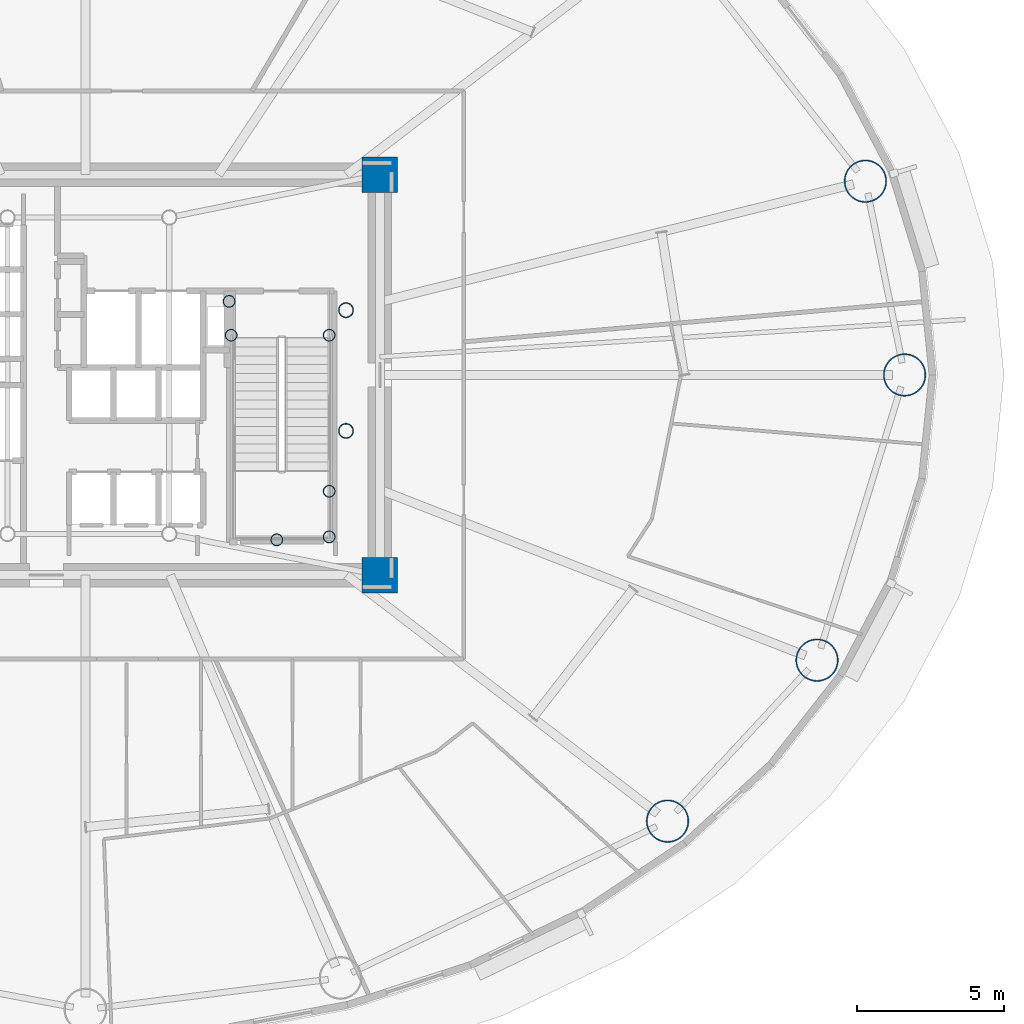
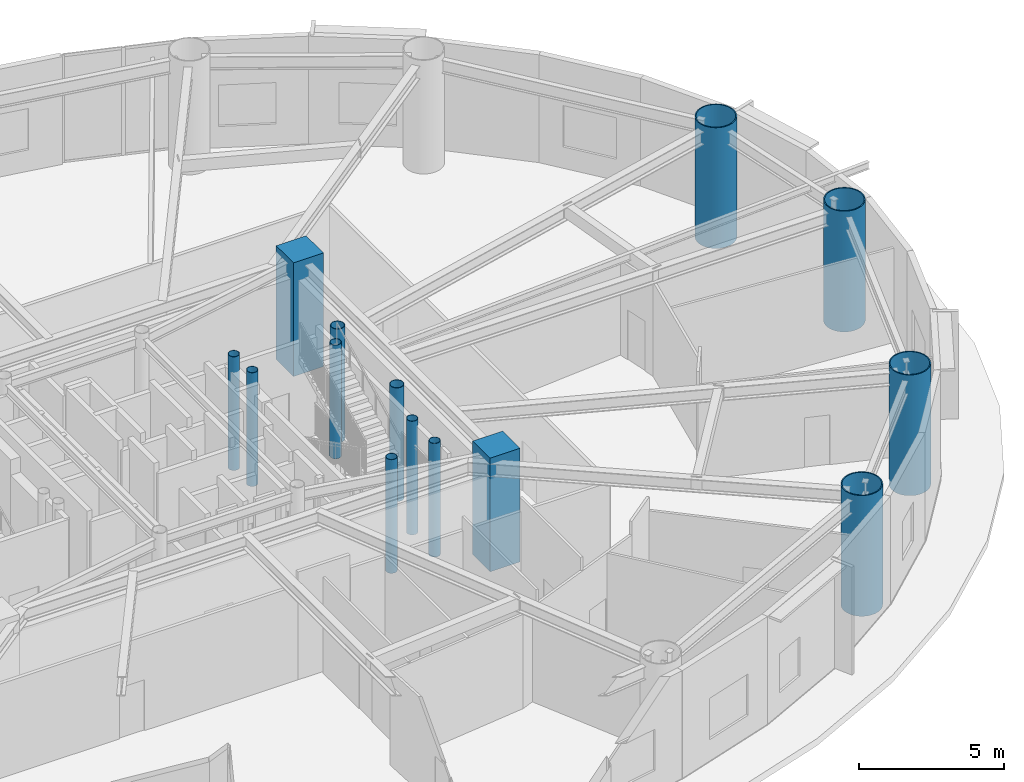
# One storey, part 2 of 19: 14 columns.
"""IFC4 building model written with IfcOpenShell, lengths in metres."""

from ifc_helpers import new_model, si_unit, direction, frame, origin, origin_2d, place, context, subcontext, project, spatial, rectangle, hollow_circle, extrude, material, material_profile, profile_set, type_object, element, save


model = new_model("IFC4")

# Units and contexts
model_context = context("Model", 3, precision=1e-05, world=origin(), true_north=direction((0.0, 1.0)))
body_context = subcontext(model_context, "Body", "Model", "MODEL_VIEW")
ifc_project = project(units=[si_unit("LENGTHUNIT", "METRE"), si_unit("AREAUNIT", "SQUARE_METRE"), si_unit("VOLUMEUNIT", "CUBIC_METRE"), si_unit("PLANEANGLEUNIT", "RADIAN"), si_unit("MASSUNIT", "GRAM", prefix="KILO")], contexts=[model_context])

# Site, building, storey
site_placement = place(None, origin())
site = spatial("IfcSite", under=ifc_project, at=site_placement, CompositionType="ELEMENT")
building_placement = place(site_placement, origin())
building = spatial("IfcBuilding", under=site, at=building_placement, Name="Linh Dai School and Residence Tower", CompositionType="ELEMENT")
storey_placement = place(building_placement, frame((0.0, 0.0, 92.39990234375)))
storey = spatial("IfcBuildingStorey", under=building, at=storey_placement, Name="L21", CompositionType="ELEMENT", Elevation=92.39990234375)

# Columns
ifc_material_1 = material(Name="Concrete B60 (C50/60)", Category="concrete")
ifc_material_profile_1 = material_profile(ifc_material_1, rectangle(XDim=1.199951171875, YDim=1.199951171875, at=origin_2d()), Name="RC 1200x1200")
ifc_profile_set_1 = profile_set([ifc_material_profile_1], Name="Concrete B60 (C50/60)")
column_type_1 = type_object("IfcColumnType", Name="COL-CC2", PredefinedType="COLUMN", material=ifc_profile_set_1)
for number, where, z_axis, x_axis, name in (
    (1, (46.0, 20.199951171875, 0.0), (0.0, 0.0, 1.0), (1.0, 0.0, 0.0), "L21 Core Corner Pier CC2"),
    (2, (46.0, 33.800048828125, 0.0), (0.0, 0.0, 1.0), (1.0, 0.0, 0.0), "L21 Core Corner Pier CC3"),
):
    element("IfcColumn", number, at=place(storey_placement, frame(where, z_axis=z_axis, x_axis=x_axis)), inside=storey, type_object=column_type_1, Name=name, PredefinedType="COLUMN", context=body_context, shape_type="SweptSolid", body=[
        extrude(rectangle(XDim=1.199951171875, YDim=1.199951171875, at=origin_2d()), origin(), (0.0, 0.0, 1.0), 4.800048828125),
    ])
ifc_material_2 = material(Name="Structural Steel S355JR", Category="steel")
ifc_material_profile_2 = material_profile(ifc_material_2, hollow_circle(Radius=0.203125, WallThickness=0.01611328125, at=origin_2d()), Name="CHS 406.4x16")
ifc_profile_set_2 = profile_set([ifc_material_profile_2], Name="Structural Steel S355JR")
column_type_2 = type_object("IfcColumnType", Name="COL-EC", PredefinedType="COLUMN", material=ifc_profile_set_2)
for number, where, z_axis, x_axis, name in (
    (3, (44.280029296875, 21.5, 0.0), (0.0, 0.0, 1.0), (1.0, 0.0, 0.0), "L21 Stair Shaft Landing Support Pier ST2SE"),
    (4, (44.280029296875, 23.050048828125, 0.0), (0.0, 0.0, 1.0), (1.0, 0.0, 0.0), "L21 Stair Shaft Landing Support Pier ST2NE"),
    (5, (42.5, 21.39990234375, 0.0), (0.0, 0.0, 1.0), (1.0, 0.0, 0.0), "L21 Stair Shaft Landing Support Pier ST2MS"),
    (6, (40.949951171875, 28.35009765625, 0.0), (0.0, 0.0, 1.0), (1.0, 0.0, 0.0), "L21 Stair Shaft Landing Support Pier ST2N1"),
    (7, (44.280029296875, 28.35009765625, 0.0), (0.0, 0.0, 1.0), (1.0, 0.0, 0.0), "L21 Stair Shaft Landing Support Pier ST2N2"),
    (8, (40.8798828125, 29.5, 0.0), (0.0, 0.0, 1.0), (1.0, 0.0, 0.0), "L21 Stair Shaft Landing Support Pier ST2N3"),
):
    element("IfcColumn", number, at=place(storey_placement, frame(where, z_axis=z_axis, x_axis=x_axis)), inside=storey, type_object=column_type_2, Name=name, PredefinedType="COLUMN", context=body_context, shape_type="SweptSolid", body=[
        extrude(hollow_circle(Radius=0.203125, WallThickness=0.01611328125, at=origin_2d()), origin(), (0.0, 0.0, 1.0), 4.800048828125),
    ])
ifc_material_profile_3 = material_profile(ifc_material_2, hollow_circle(Radius=0.72509765625, WallThickness=0.0419921875, at=origin_2d()), Name="CHS 1450x42")
ifc_profile_set_3 = profile_set([ifc_material_profile_3], Name="Structural Steel S355JR")
column_type_3 = type_object("IfcColumnType", Name="COL-MC3", PredefinedType="COLUMN", material=ifc_profile_set_3)
for number, where, z_axis, x_axis, name in (
    (9, (63.824951171875, 27.0, -0.2998046875), (0.0, 0.0, 1.0), (1.0, 0.0, 0.0), "L21 Perimeter CFT Mega-Column MC01"),
    (10, (62.49267578125, 33.5810546875, -0.2998046875), (0.0, 0.0, 1.0), (1.0, 0.0, 0.0), "L21 Perimeter CFT Mega-Column MC02"),
    (11, (55.772705078125, 11.844482421875, -0.2998046875), (0.0, 0.0, 1.0), (1.0, 0.0, 0.0), "L21 Perimeter CFT Mega-Column MC15"),
    (12, (60.84912109375, 17.3125, -0.2998046875), (0.0, 0.0, 1.0), (1.0, 0.0, 0.0), "L21 Perimeter CFT Mega-Column MC16"),
):
    element("IfcColumn", number, at=place(storey_placement, frame(where, z_axis=z_axis, x_axis=x_axis)), inside=storey, type_object=column_type_3, Name=name, PredefinedType="COLUMN", context=body_context, shape_type="SweptSolid", body=[
        extrude(hollow_circle(Radius=0.72509765625, WallThickness=0.0419921875, at=origin_2d()), origin(), (0.0, 0.0, 1.0), 5.099853515625),
    ])
ifc_material_profile_4 = material_profile(ifc_material_2, hollow_circle(Radius=0.25390625, WallThickness=0.02001953125, at=origin_2d()), Name="CHS 508x20")
ifc_profile_set_4 = profile_set([ifc_material_profile_4], Name="Structural Steel S355JR")
column_type_4 = type_object("IfcColumnType", Name="COL-MCP", PredefinedType="COLUMN", material=ifc_profile_set_4)
for number, where, z_axis, x_axis, name in (
    (13, (44.85009765625, 25.10009765625, 0.0), (0.0, 0.0, 1.0), (1.0, 0.0, 0.0), "L21 Sky-Lounge Core Anchor Pier S"),
    (14, (44.85009765625, 29.199951171875, 0.0), (0.0, 0.0, 1.0), (1.0, 0.0, 0.0), "L21 Sky-Lounge Core Anchor Pier N"),
):
    element("IfcColumn", number, at=place(storey_placement, frame(where, z_axis=z_axis, x_axis=x_axis)), inside=storey, type_object=column_type_4, Name=name, PredefinedType="COLUMN", context=body_context, shape_type="SweptSolid", body=[
        extrude(hollow_circle(Radius=0.25390625, WallThickness=0.02001953125, at=origin_2d()), origin(), (0.0, 0.0, 1.0), 4.800048828125),
    ])

save(model, "model.ifc")
